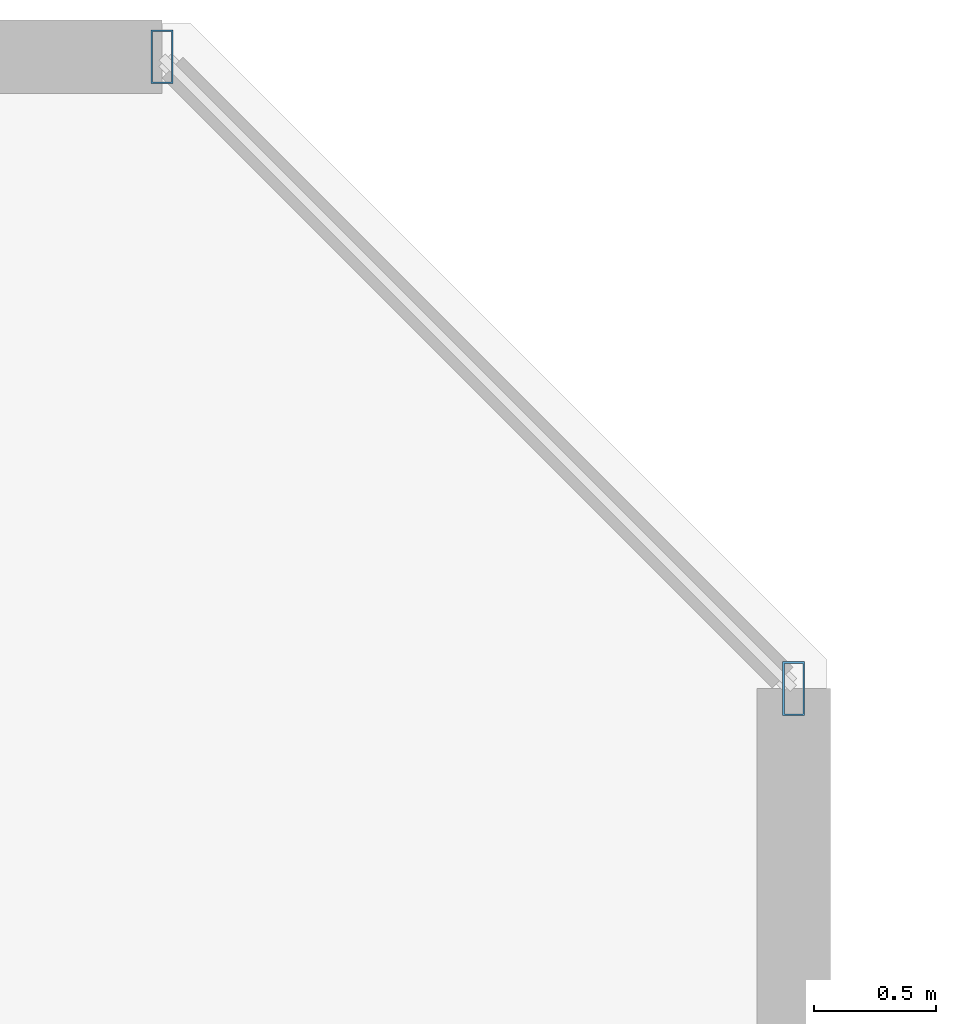
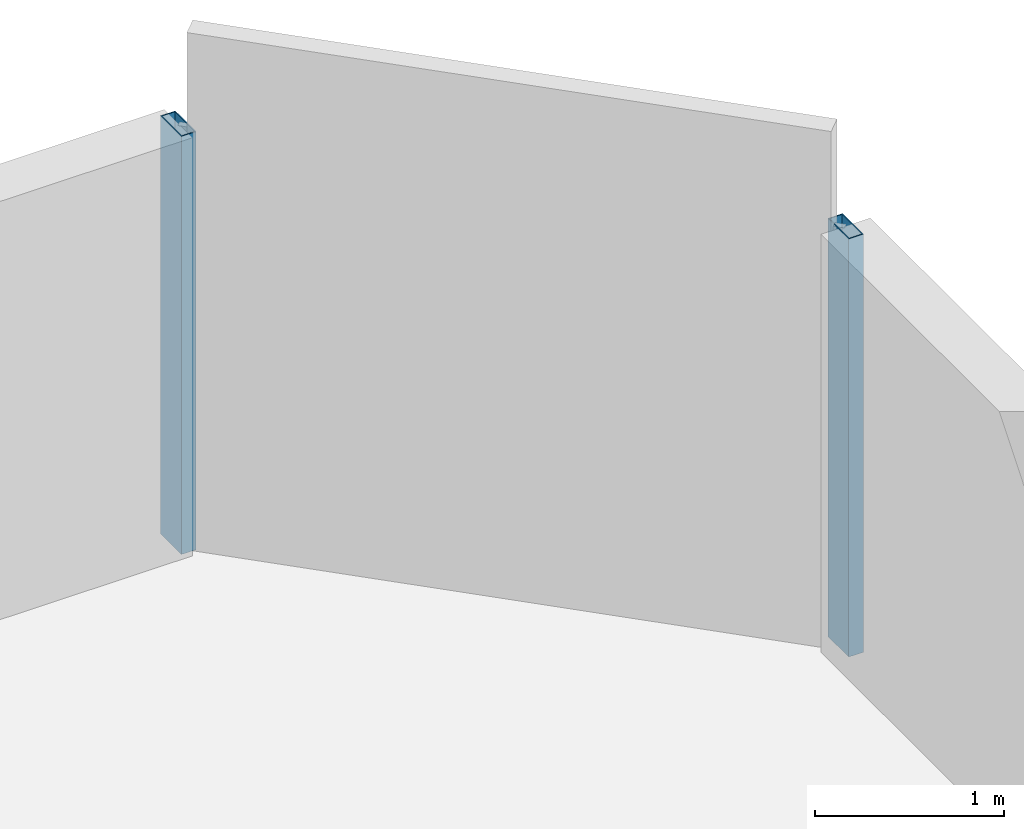
# One storey, part 16 of 33: 2 members, 1 element without a shape of its own.
"""IFC4 building model written with IfcOpenShell, lengths in metres."""

from ifc_helpers import new_model, si_unit, direction, frame, origin, origin_2d, place, context, subcontext, project, spatial, hollow_rectangle, extrude, material, material_profile, profile_set, type_object, element, aggregate, save


model = new_model("IFC4")

# Units and contexts
model_context = context("Model", 3, precision=1e-05, world=origin(), true_north=direction((0.0, 1.0)))
body_context = subcontext(model_context, "Body", "Model", "MODEL_VIEW")
ifc_project = project(units=[si_unit("LENGTHUNIT", "METRE"), si_unit("AREAUNIT", "SQUARE_METRE"), si_unit("VOLUMEUNIT", "CUBIC_METRE"), si_unit("PLANEANGLEUNIT", "RADIAN"), si_unit("MASSUNIT", "GRAM", prefix="KILO")], contexts=[model_context])

# Site, building, storey
site_placement = place(None, origin())
site = spatial("IfcSite", under=ifc_project, at=site_placement, CompositionType="ELEMENT")
building_placement = place(site_placement, origin())
building = spatial("IfcBuilding", under=site, at=building_placement, Name="Thornwick Lancets Civic Towers", CompositionType="ELEMENT")
storey_placement = place(building_placement, frame((0.0, 0.0, 38.699951171875)))
storey = spatial("IfcBuildingStorey", under=building, at=storey_placement, Name="L09", CompositionType="ELEMENT", Elevation=38.699951171875)

# Curtain wall, members
ifc_material_1 = material(Name="Low-zone chamfered-corner unitised glass curtain wall", Category="glass")
curtain_wall_type = type_object("IfcCurtainWallType", Name="CW_SYS_03", PredefinedType="NOTDEFINED", material=ifc_material_1)
curtain_wall_placement = place(storey_placement, origin())
curtain_wall = element("IfcCurtainWall", 1, at=curtain_wall_placement, inside=storey, type_object=curtain_wall_type, Name="L09 Curtain Wall CW-L09-B-E3", PredefinedType="NOTDEFINED")
ifc_material_2 = material(Name="Thermally broken bronze aluminium S355", Category="steel")
ifc_material_profile = material_profile(ifc_material_2, hollow_rectangle(XDim=0.090087890625, YDim=0.219970703125, WallThickness=0.00634765625, at=origin_2d()), Name="RHS 220x90x6.3")
ifc_profile_set = profile_set([ifc_material_profile], Name="Thermally broken bronze aluminium S355")
member_type = type_object("IfcMemberType", Name="CW_MUL_220", PredefinedType="MULLION", material=ifc_profile_set)
member_1_placement = place(storey_placement, frame((112.764892578125, 42.68115234375, 0.0), z_axis=(0.0, 0.0, 1.0), x_axis=(1.0, 0.0, 0.0)))
member_1 = element("IfcMember", 2, at=member_1_placement, type_object=member_type, Name="CW-L09-B-E3 Mullion 0", PredefinedType="MULLION", context=body_context, shape_type="SweptSolid", body=[
    extrude(hollow_rectangle(XDim=0.090087890625, YDim=0.219970703125, WallThickness=0.00634765625, at=origin_2d()), origin(), (0.0, 0.0, 1.0), 2.699951171875),
])
member_2_placement = place(storey_placement, frame((110.18115234375, 45.264892578125, 0.0), z_axis=(0.0, 0.0, 1.0), x_axis=(1.0, 0.0, 0.0)))
member_2 = element("IfcMember", 3, at=member_2_placement, type_object=member_type, Name="CW-L09-B-E3 Mullion 1", PredefinedType="MULLION", context=body_context, shape_type="SweptSolid", body=[
    extrude(hollow_rectangle(XDim=0.090087890625, YDim=0.219970703125, WallThickness=0.00634765625, at=origin_2d()), origin(), (0.0, 0.0, 1.0), 2.699951171875),
])
aggregate(curtain_wall, [member_1, member_2])

save(model, "model.ifc")
